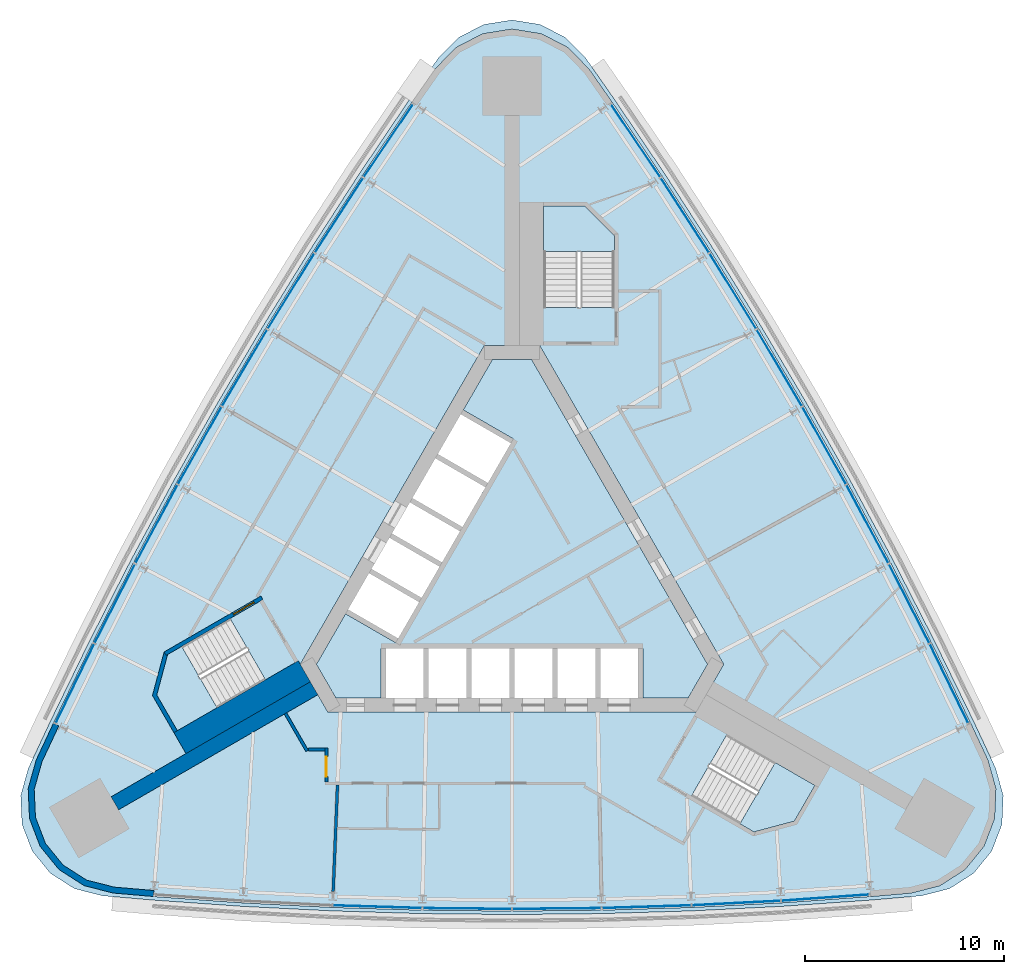
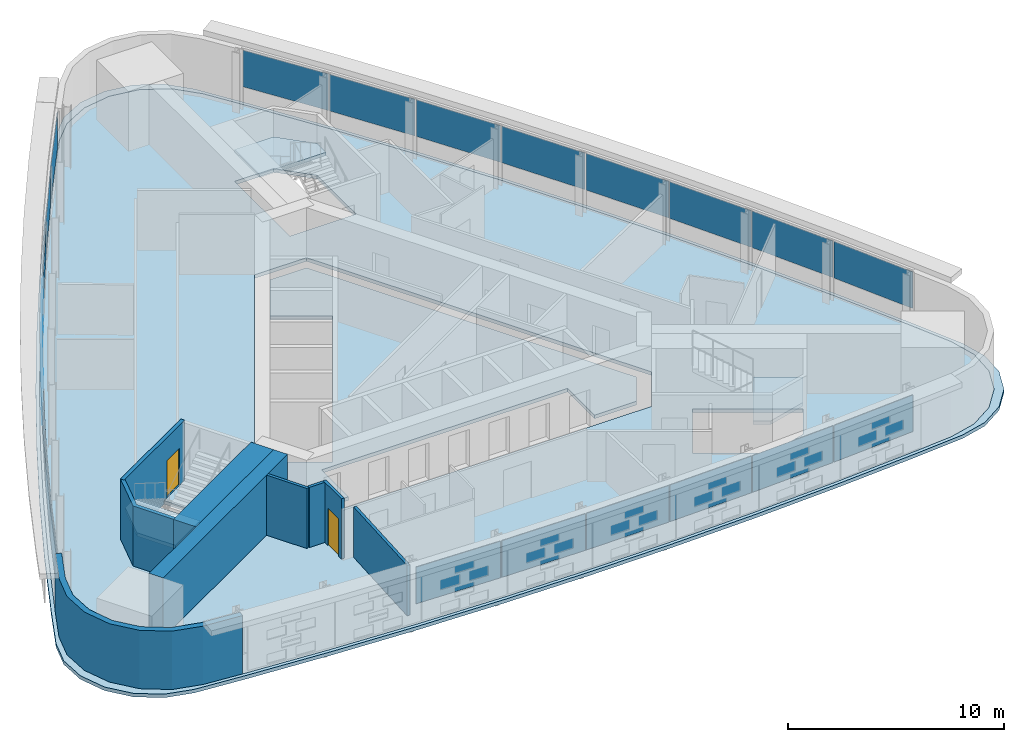
# One storey, part 6 of 11: 22 plates, 9 walls, 6 slabs, 2 doors, 2 openings, 6 elements without a shape of their own.
"""IFC4 building model written with IfcOpenShell, lengths in metres."""

from ifc_helpers import new_model, si_unit, direction, frame, frame_2d, origin, origin_2d, place, context, subcontext, project, spatial, polyline, rectangle, outline, extrude, material, layer, layer_set, type_object, element, fill, aggregate, save


model = new_model("IFC4")

# Units and contexts
model_context = context("Model", 3, precision=1e-05, world=origin(), true_north=direction((0.0, 1.0)))
body_context = subcontext(model_context, "Body", "Model", "MODEL_VIEW")
ifc_project = project(units=[si_unit("LENGTHUNIT", "METRE"), si_unit("AREAUNIT", "SQUARE_METRE"), si_unit("VOLUMEUNIT", "CUBIC_METRE"), si_unit("PLANEANGLEUNIT", "RADIAN"), si_unit("MASSUNIT", "GRAM", prefix="KILO")], contexts=[model_context])

# Site, building, storey
site_placement = place(None, origin())
site = spatial("IfcSite", under=ifc_project, at=site_placement, CompositionType="ELEMENT")
building_placement = place(site_placement, origin())
building = spatial("IfcBuilding", under=site, at=building_placement, Name="Noor Cloister Tower", CompositionType="ELEMENT")
storey_placement = place(building_placement, frame((0.0, 0.0, 116.699951171875)))
storey = spatial("IfcBuildingStorey", under=building, at=storey_placement, Name="L30", CompositionType="ELEMENT", Elevation=116.699951171875)

# Slabs
ifc_material_1 = material(Name="Concrete C40/50", Category="concrete")
ifc_layer_1 = layer(ifc_material_1, 0.199951171875)
ifc_layer_set_1 = layer_set([ifc_layer_1], Name="Core floor slab 200 C40/50")
slab_type_1 = type_object("IfcSlabType", Name="Core floor slab 200 C40/50", PredefinedType="FLOOR", material=ifc_layer_set_1)
slab_1_placement = place(storey_placement, frame((0.0, 0.0, -0.199951171875)))
element("IfcSlab", 1, at=slab_1_placement, inside=storey, type_object=slab_type_1, Name="Core floor L30", PredefinedType="FLOOR", context=body_context, shape_type="SweptSolid", body=[
    extrude(outline(polyline([(-6.574951171875, -6.228271484375), (-6.574951171875, -3.728271484375), (6.574951171875, -3.728271484375), (6.574951171875, -6.228271484375), (8.82470703125, -6.228271484375), (9.80615234375, -4.5283203125), (0.9814453125, 10.75634765625), (-0.9814453125, 10.75634765625), (-2.44384765625, 8.2236328125), (0.067626953125, 6.773681640625), (-5.832275390625, -3.4453125), (-8.34375, -1.995361328125), (-9.80615234375, -4.5283203125), (-8.82470703125, -6.228271484375), (-6.574951171875, -6.228271484375)])), origin(), (0.0, 0.0, 1.0), 0.199951171875),
])
ifc_material_2 = material(Name="Concrete C40/50", Category="concrete")
ifc_layer_2 = layer(ifc_material_2, 0.199951171875)
ifc_layer_set_2 = layer_set([ifc_layer_2], Name="Floor slab 200 C40/50")
slab_type_2 = type_object("IfcSlabType", Name="Floor slab 200 C40/50", PredefinedType="FLOOR", material=ifc_layer_set_2)
slab_2_placement = place(storey_placement, frame((0.0, 0.0, -0.199951171875)))
element("IfcSlab", 2, at=slab_2_placement, inside=storey, type_object=slab_type_2, Name="Floor slab L30", PredefinedType="FLOOR", context=body_context, shape_type="SweptSolid", body=[
    extrude(outline(polyline([(3.853271484375, 25.31689453125), (2.807373046875, 26.38818359375), (1.478271484375, 27.07763671875), (0.0, 27.3154296875), (-1.478271484375, 27.07763671875), (-2.807373046875, 26.38818359375), (-3.853271484375, 25.31689453125), (-5.0126953125, 23.65576171875), (-7.533447265625, 19.92822265625), (-9.978271484375, 16.150390625), (-12.345703125, 12.323486328125), (-14.635009765625, 8.449462890625), (-16.845458984375, 4.52978515625), (-18.9755859375, 0.566162109375), (-21.025146484375, -3.43994140625), (-22.992919921875, -7.48681640625), (-23.851806640625, -9.321533203125), (-24.256591796875, -10.762939453125), (-24.18896484375, -12.258544921875), (-23.65576171875, -13.65771484375), (-22.710693359375, -14.81884765625), (-21.44921875, -15.625244140625), (-19.99853515625, -15.995361328125), (-17.980224609375, -16.1689453125), (-13.49169921875, -16.48828125), (-8.99755859375, -16.716552734375), (-4.499755859375, -16.853515625), (0.0, -16.899169921875), (4.499755859375, -16.853515625), (8.99755859375, -16.716552734375), (13.49169921875, -16.48828125), (17.980224609375, -16.1689453125), (19.99853515625, -15.995361328125), (21.44921875, -15.625244140625), (22.710693359375, -14.81884765625), (23.65576171875, -13.65771484375), (24.18896484375, -12.258544921875), (24.256591796875, -10.762939453125), (23.851806640625, -9.321533203125), (22.992919921875, -7.48681640625), (21.025146484375, -3.43994140625), (18.9755859375, 0.566162109375), (16.845458984375, 4.52978515625), (14.635009765625, 8.449462890625), (12.345703125, 12.323486328125), (9.978271484375, 16.150390625), (7.533447265625, 19.92822265625), (5.0126953125, 23.65576171875), (3.853271484375, 25.31689453125)]), holes=[polyline([(8.999755859375, -11.126220703125), (12.131591796875, -12.934326171875), (14.1572265625, -12.3916015625), (15.19091796875, -10.601318359375), (10.774658203125, -8.0517578125), (8.999755859375, -11.126220703125)]), polyline([(-17.81005859375, -6.064697265625), (-16.776611328125, -7.85498046875), (-12.3603515625, -5.305419921875), (-14.13525390625, -2.23095703125), (-16.662841796875, -3.690185546875), (-17.267333984375, -4.039306640625), (-17.81005859375, -6.064697265625)]), polyline([(-10.6142578125, -4.5283203125), (-9.228759765625, -6.92822265625), (9.228759765625, -6.92822265625), (10.6142578125, -4.5283203125), (1.3857421875, 11.456298828125), (-1.3857421875, 11.456298828125), (-10.6142578125, -4.5283203125)]), polyline([(3.65283203125, 18.456298828125), (1.585693359375, 18.456298828125), (1.585693359375, 13.35693359375), (5.135498046875, 13.35693359375), (5.135498046875, 16.9736328125), (3.65283203125, 18.456298828125)])]), origin(), (0.0, 0.0, 1.0), 0.199951171875),
])

# Curtain wall, plates
ifc_material_3 = material(Name="Aluminium 6063-T6 anodised", Category="aluminium")
curtain_wall_type = type_object("IfcCurtainWallType", Name="Ribbon curtain wall, lower tower CW1", PredefinedType="NOTDEFINED", material=ifc_material_3)
curtain_wall_1_placement = place(storey_placement, origin())
curtain_wall_1 = element("IfcCurtainWall", 3, at=curtain_wall_1_placement, inside=storey, type_object=curtain_wall_type, Name="CW1 L30 NW run 1", PredefinedType="NOTDEFINED")
ifc_material_4 = material(Name="Clear laminated glass 2 x 8 mm", Category="glass")
ifc_layer_3 = layer(ifc_material_4, 0.028076171875)
ifc_layer_set_3 = layer_set([ifc_layer_3], Name="Glass panel CW1")
plate_type = type_object("IfcPlateType", Name="Glass panel CW1", PredefinedType="CURTAIN_PANEL", material=ifc_layer_set_3)
plate_1_placement = place(storey_placement, frame((-6.201171875, 21.719970703125, 1.08984375), z_axis=(0.0, 0.0, 1.0), x_axis=(-0.560202787374, -0.828355501592, 0.0)))
plate_1 = element("IfcPlate", 4, at=plate_1_placement, type_object=plate_type, Name="CW1 glass panel 1", PredefinedType="CURTAIN_PANEL", context=body_context, shape_type="SweptSolid", body=[
    extrude(rectangle(XDim=4.39892578125, YDim=0.028076171875, at=origin_2d()), origin(), (0.0, 0.0, 1.0), 2.070068359375),
])
plate_2_placement = place(storey_placement, frame((-8.671875, 17.985107421875, 1.08984375), z_axis=(0.0, 0.0, 1.0), x_axis=(-0.543277273915, -0.839553335797, 0.0)))
plate_2 = element("IfcPlate", 5, at=plate_2_placement, type_object=plate_type, Name="CW1 glass panel 2", PredefinedType="CURTAIN_PANEL", context=body_context, shape_type="SweptSolid", body=[
    extrude(rectangle(XDim=4.43798828125, YDim=0.028076171875, at=origin_2d()), origin(), (0.0, 0.0, 1.0), 2.070068359375),
])
plate_3_placement = place(storey_placement, frame((-11.076904296875, 14.184326171875, 1.08984375), z_axis=(0.0, 0.0, 1.0), x_axis=(-0.526127988992, -0.850405396972, 0.0)))
plate_3 = element("IfcPlate", 6, at=plate_3_placement, type_object=plate_type, Name="CW1 glass panel 3", PredefinedType="CURTAIN_PANEL", context=body_context, shape_type="SweptSolid", body=[
    extrude(rectangle(XDim=4.43798828125, YDim=0.028076171875, at=origin_2d()), origin(), (0.0, 0.0, 1.0), 2.070068359375),
])
plate_4_placement = place(storey_placement, frame((-13.404296875, 10.335693359375, 1.08984375), z_axis=(0.0, 0.0, 1.0), x_axis=(-0.508762010257, -0.860907205754, 0.0)))
plate_4 = element("IfcPlate", 7, at=plate_4_placement, type_object=plate_type, Name="CW1 glass panel 4", PredefinedType="CURTAIN_PANEL", context=body_context, shape_type="SweptSolid", body=[
    extrude(rectangle(XDim=4.43798828125, YDim=0.028076171875, at=origin_2d()), origin(), (0.0, 0.0, 1.0), 2.070068359375),
])
plate_5_placement = place(storey_placement, frame((-15.653076171875, 6.440673828125, 1.08984375), z_axis=(0.0, 0.0, 1.0), x_axis=(-0.491186505355, -0.87105442824, 0.0)))
plate_5 = element("IfcPlate", 8, at=plate_5_placement, type_object=plate_type, Name="CW1 glass panel 5", PredefinedType="CURTAIN_PANEL", context=body_context, shape_type="SweptSolid", body=[
    extrude(rectangle(XDim=4.43798828125, YDim=0.028076171875, at=origin_2d()), origin(), (0.0, 0.0, 1.0), 2.070068359375),
])
plate_6_placement = place(storey_placement, frame((-17.822509765625, 2.500732421875, 1.08984375), z_axis=(0.0, 0.0, 1.0), x_axis=(-0.473408682797, -0.880842902595, 0.0)))
plate_6 = element("IfcPlate", 9, at=plate_6_placement, type_object=plate_type, Name="CW1 glass panel 6", PredefinedType="CURTAIN_PANEL", context=body_context, shape_type="SweptSolid", body=[
    extrude(rectangle(XDim=4.43798828125, YDim=0.028076171875, at=origin_2d()), origin(), (0.0, 0.0, 1.0), 2.070068359375),
])
plate_7_placement = place(storey_placement, frame((-19.911376953125, -1.482421875, 1.08984375), z_axis=(0.0, 0.0, 1.0), x_axis=(-0.455435879675, -0.890268588407, 0.0)))
plate_7 = element("IfcPlate", 10, at=plate_7_placement, type_object=plate_type, Name="CW1 glass panel 7", PredefinedType="CURTAIN_PANEL", context=body_context, shape_type="SweptSolid", body=[
    extrude(rectangle(XDim=4.43798828125, YDim=0.028076171875, at=origin_2d()), origin(), (0.0, 0.0, 1.0), 2.070068359375),
])
plate_8_placement = place(storey_placement, frame((-21.91064453125, -5.489501953125, 1.08984375), z_axis=(0.0, 0.0, 1.0), x_axis=(-0.437275514056, -0.899327595933, 0.0)))
plate_8 = element("IfcPlate", 11, at=plate_8_placement, type_object=plate_type, Name="CW1 glass panel 8", PredefinedType="CURTAIN_PANEL", context=body_context, shape_type="SweptSolid", body=[
    extrude(rectangle(XDim=4.39892578125, YDim=0.028076171875, at=origin_2d()), origin(), (0.0, 0.0, 1.0), 2.070068359375),
])
aggregate(curtain_wall_1, [plate_1, plate_2, plate_3, plate_4, plate_5, plate_6, plate_7, plate_8])

curtain_wall_2_placement = place(storey_placement, origin())
curtain_wall_2 = element("IfcCurtainWall", 12, at=curtain_wall_2_placement, inside=storey, type_object=curtain_wall_type, Name="CW1 L30 S run 2", PredefinedType="NOTDEFINED")
plate_9_placement = place(storey_placement, frame((-6.74560546875, -16.68505859375, 1.08984375), z_axis=(0.0, 0.0, 1.0), x_axis=(0.999536671789, -0.030437505623, 0.0)))
plate_9 = element("IfcPlate", 13, at=plate_9_placement, type_object=plate_type, Name="CW1 glass panel 3", PredefinedType="CURTAIN_PANEL", context=body_context, shape_type="SweptSolid", body=[
    extrude(rectangle(XDim=4.43798828125, YDim=0.028076171875, at=origin_2d()), origin(), (0.0, 0.0, 1.0), 2.070068359375),
])
plate_10_placement = place(storey_placement, frame((-2.248779296875, -16.7763671875, 1.08984375), z_axis=(0.0, 0.0, 1.0), x_axis=(0.999948515613, -0.010147222486, 0.0)))
plate_10 = element("IfcPlate", 14, at=plate_10_placement, type_object=plate_type, Name="CW1 glass panel 4", PredefinedType="CURTAIN_PANEL", context=body_context, shape_type="SweptSolid", body=[
    extrude(rectangle(XDim=4.43798828125, YDim=0.028076171875, at=origin_2d()), origin(), (0.0, 0.0, 1.0), 2.070068359375),
])
plate_11_placement = place(storey_placement, frame((2.248779296875, -16.7763671875, 1.08984375), z_axis=(0.0, 0.0, 1.0), x_axis=(0.999948515613, 0.010147222486, 0.0)))
plate_11 = element("IfcPlate", 15, at=plate_11_placement, type_object=plate_type, Name="CW1 glass panel 5", PredefinedType="CURTAIN_PANEL", context=body_context, shape_type="SweptSolid", body=[
    extrude(rectangle(XDim=4.43798828125, YDim=0.028076171875, at=origin_2d()), origin(), (0.0, 0.0, 1.0), 2.070068359375),
])
plate_12_placement = place(storey_placement, frame((6.74560546875, -16.68505859375, 1.08984375), z_axis=(0.0, 0.0, 1.0), x_axis=(0.999536671789, 0.030437505623, 0.0)))
plate_12 = element("IfcPlate", 16, at=plate_12_placement, type_object=plate_type, Name="CW1 glass panel 6", PredefinedType="CURTAIN_PANEL", context=body_context, shape_type="SweptSolid", body=[
    extrude(rectangle(XDim=4.43798828125, YDim=0.028076171875, at=origin_2d()), origin(), (0.0, 0.0, 1.0), 2.070068359375),
])
plate_13_placement = place(storey_placement, frame((11.239501953125, -16.50244140625, 1.08984375), z_axis=(0.0, 0.0, 1.0), x_axis=(0.998713153589, 0.050715252611, 0.0)))
plate_13 = element("IfcPlate", 17, at=plate_13_placement, type_object=plate_type, Name="CW1 glass panel 7", PredefinedType="CURTAIN_PANEL", context=body_context, shape_type="SweptSolid", body=[
    extrude(rectangle(XDim=4.43798828125, YDim=0.028076171875, at=origin_2d()), origin(), (0.0, 0.0, 1.0), 2.070068359375),
])
plate_14_placement = place(storey_placement, frame((15.70947265625, -16.230224609375, 1.08984375), z_axis=(0.0, 0.0, 1.0), x_axis=(0.997478301431, 0.070972094341, 0.0)))
plate_14 = element("IfcPlate", 18, at=plate_14_placement, type_object=plate_type, Name="CW1 glass panel 8", PredefinedType="CURTAIN_PANEL", context=body_context, shape_type="SweptSolid", body=[
    extrude(rectangle(XDim=4.39892578125, YDim=0.028076171875, at=origin_2d()), origin(), (0.0, 0.0, 1.0), 2.070068359375),
])
aggregate(curtain_wall_2, [plate_9, plate_10, plate_11, plate_12, plate_13, plate_14])

curtain_wall_3_placement = place(storey_placement, origin())
curtain_wall_3 = element("IfcCurtainWall", 19, at=curtain_wall_3_placement, inside=storey, type_object=curtain_wall_type, Name="CW1 L30 NE run 3", PredefinedType="NOTDEFINED")
plate_15_placement = place(storey_placement, frame((21.91064453125, -5.489501953125, 1.08984375), z_axis=(0.0, 0.0, 1.0), x_axis=(-0.437275514056, 0.899327595933, 0.0)))
plate_15 = element("IfcPlate", 20, at=plate_15_placement, type_object=plate_type, Name="CW1 glass panel 1", PredefinedType="CURTAIN_PANEL", context=body_context, shape_type="SweptSolid", body=[
    extrude(rectangle(XDim=4.39892578125, YDim=0.028076171875, at=origin_2d()), origin(), (0.0, 0.0, 1.0), 2.070068359375),
])
plate_16_placement = place(storey_placement, frame((19.911376953125, -1.482421875, 1.08984375), z_axis=(0.0, 0.0, 1.0), x_axis=(-0.455435879675, 0.890268588407, 0.0)))
plate_16 = element("IfcPlate", 21, at=plate_16_placement, type_object=plate_type, Name="CW1 glass panel 2", PredefinedType="CURTAIN_PANEL", context=body_context, shape_type="SweptSolid", body=[
    extrude(rectangle(XDim=4.43798828125, YDim=0.028076171875, at=origin_2d()), origin(), (0.0, 0.0, 1.0), 2.070068359375),
])
plate_17_placement = place(storey_placement, frame((17.822509765625, 2.500732421875, 1.08984375), z_axis=(0.0, 0.0, 1.0), x_axis=(-0.473408682797, 0.880842902595, 0.0)))
plate_17 = element("IfcPlate", 22, at=plate_17_placement, type_object=plate_type, Name="CW1 glass panel 3", PredefinedType="CURTAIN_PANEL", context=body_context, shape_type="SweptSolid", body=[
    extrude(rectangle(XDim=4.43798828125, YDim=0.028076171875, at=origin_2d()), origin(), (0.0, 0.0, 1.0), 2.070068359375),
])
plate_18_placement = place(storey_placement, frame((15.653076171875, 6.440673828125, 1.08984375), z_axis=(0.0, 0.0, 1.0), x_axis=(-0.491186505355, 0.87105442824, 0.0)))
plate_18 = element("IfcPlate", 23, at=plate_18_placement, type_object=plate_type, Name="CW1 glass panel 4", PredefinedType="CURTAIN_PANEL", context=body_context, shape_type="SweptSolid", body=[
    extrude(rectangle(XDim=4.43798828125, YDim=0.028076171875, at=origin_2d()), origin(), (0.0, 0.0, 1.0), 2.070068359375),
])
plate_19_placement = place(storey_placement, frame((13.404296875, 10.335693359375, 1.08984375), z_axis=(0.0, 0.0, 1.0), x_axis=(-0.508762010257, 0.860907205754, 0.0)))
plate_19 = element("IfcPlate", 24, at=plate_19_placement, type_object=plate_type, Name="CW1 glass panel 5", PredefinedType="CURTAIN_PANEL", context=body_context, shape_type="SweptSolid", body=[
    extrude(rectangle(XDim=4.43798828125, YDim=0.028076171875, at=origin_2d()), origin(), (0.0, 0.0, 1.0), 2.070068359375),
])
plate_20_placement = place(storey_placement, frame((11.076904296875, 14.184326171875, 1.08984375), z_axis=(0.0, 0.0, 1.0), x_axis=(-0.526127988992, 0.850405396972, 0.0)))
plate_20 = element("IfcPlate", 25, at=plate_20_placement, type_object=plate_type, Name="CW1 glass panel 6", PredefinedType="CURTAIN_PANEL", context=body_context, shape_type="SweptSolid", body=[
    extrude(rectangle(XDim=4.43798828125, YDim=0.028076171875, at=origin_2d()), origin(), (0.0, 0.0, 1.0), 2.070068359375),
])
plate_21_placement = place(storey_placement, frame((8.671875, 17.985107421875, 1.08984375), z_axis=(0.0, 0.0, 1.0), x_axis=(-0.543277273915, 0.839553335797, 0.0)))
plate_21 = element("IfcPlate", 26, at=plate_21_placement, type_object=plate_type, Name="CW1 glass panel 7", PredefinedType="CURTAIN_PANEL", context=body_context, shape_type="SweptSolid", body=[
    extrude(rectangle(XDim=4.43798828125, YDim=0.028076171875, at=origin_2d()), origin(), (0.0, 0.0, 1.0), 2.070068359375),
])
plate_22_placement = place(storey_placement, frame((6.201171875, 21.719970703125, 1.08984375), z_axis=(0.0, 0.0, 1.0), x_axis=(-0.560202787374, 0.828355501592, 0.0)))
plate_22 = element("IfcPlate", 27, at=plate_22_placement, type_object=plate_type, Name="CW1 glass panel 8", PredefinedType="CURTAIN_PANEL", context=body_context, shape_type="SweptSolid", body=[
    extrude(rectangle(XDim=4.39892578125, YDim=0.028076171875, at=origin_2d()), origin(), (0.0, 0.0, 1.0), 2.070068359375),
])
aggregate(curtain_wall_3, [plate_15, plate_16, plate_17, plate_18, plate_19, plate_20, plate_21, plate_22])

# Slab
ifc_material_5 = material(Name="Concrete C40/50", Category="concrete")
ifc_layer_4 = layer(ifc_material_5, 0.199951171875)
ifc_layer_set_4 = layer_set([ifc_layer_4], Name="Ledge roof 200 C40/50")
slab_type_3 = type_object("IfcSlabType", Name="Ledge roof 200 C40/50", PredefinedType="ROOF", material=ifc_layer_set_4)
slab_3_placement = place(storey_placement, frame((0.0, 0.0, -0.199951171875)))
element("IfcSlab", 28, at=slab_3_placement, inside=storey, type_object=slab_type_3, Name="Ledge roof L30", PredefinedType="ROOF", context=body_context, shape_type="SweptSolid", body=[
    extrude(outline(polyline([(5.1708984375, 23.747802734375), (3.694091796875, 25.862548828125), (2.6904296875, 26.8876953125), (1.41650390625, 27.54736328125), (0.0, 27.774658203125), (-1.41650390625, 27.54736328125), (-2.6904296875, 26.8876953125), (-3.694091796875, 25.862548828125), (-5.1708984375, 23.747802734375), (-7.68896484375, 20.018310546875), (-10.131591796875, 16.239013671875), (-12.498046875, 12.41162109375), (-14.786865234375, 8.537353515625), (-16.99755859375, 4.617919921875), (-19.129150390625, 0.65478515625), (-21.180908203125, -3.350341796875), (-23.151611328125, -7.395751953125), (-24.24462890625, -9.732177734375), (-24.630615234375, -11.11376953125), (-24.56494140625, -12.546875), (-24.0537109375, -13.887451171875), (-23.1484375, -15.000244140625), (-21.940185546875, -15.77392578125), (-20.550537109375, -16.13037109375), (-17.980712890625, -16.35205078125), (-13.491943359375, -16.66796875), (-8.99755859375, -16.893798828125), (-4.499755859375, -17.029296875), (0.0, -17.074462890625), (4.499755859375, -17.029296875), (8.99755859375, -16.893798828125), (13.491943359375, -16.66796875), (17.980712890625, -16.35205078125), (20.550537109375, -16.13037109375), (21.940185546875, -15.77392578125), (23.1484375, -15.000244140625), (24.0537109375, -13.887451171875), (24.56494140625, -12.546875), (24.630615234375, -11.11376953125), (24.24462890625, -9.732177734375), (23.151611328125, -7.395751953125), (21.180908203125, -3.350341796875), (19.129150390625, 0.65478515625), (16.99755859375, 4.617919921875), (14.786865234375, 8.537353515625), (12.498046875, 12.41162109375), (10.131591796875, 16.239013671875), (7.68896484375, 20.018310546875), (5.1708984375, 23.747802734375)]), holes=[polyline([(1.478271484375, 27.07763671875), (0.0, 27.3154296875), (-1.478271484375, 27.07763671875), (-2.807373046875, 26.38818359375), (-3.853271484375, 25.31689453125), (-5.0126953125, 23.65576171875), (-7.533447265625, 19.92822265625), (-9.978271484375, 16.150390625), (-12.345703125, 12.323486328125), (-14.635009765625, 8.449462890625), (-16.845458984375, 4.52978515625), (-18.9755859375, 0.566162109375), (-21.025146484375, -3.43994140625), (-22.992919921875, -7.48681640625), (-23.851806640625, -9.321533203125), (-24.256591796875, -10.762939453125), (-24.18896484375, -12.258544921875), (-23.65576171875, -13.65771484375), (-22.710693359375, -14.81884765625), (-21.44921875, -15.625244140625), (-19.99853515625, -15.995361328125), (-17.980224609375, -16.1689453125), (-13.49169921875, -16.48828125), (-8.99755859375, -16.716552734375), (-4.499755859375, -16.853515625), (0.0, -16.899169921875), (4.499755859375, -16.853515625), (8.99755859375, -16.716552734375), (13.49169921875, -16.48828125), (17.980224609375, -16.1689453125), (19.99853515625, -15.995361328125), (21.44921875, -15.625244140625), (22.710693359375, -14.81884765625), (23.65576171875, -13.65771484375), (24.18896484375, -12.258544921875), (24.256591796875, -10.762939453125), (23.851806640625, -9.321533203125), (22.992919921875, -7.48681640625), (21.025146484375, -3.43994140625), (18.9755859375, 0.566162109375), (16.845458984375, 4.52978515625), (14.635009765625, 8.449462890625), (12.345703125, 12.323486328125), (9.978271484375, 16.150390625), (7.533447265625, 19.92822265625), (5.0126953125, 23.65576171875), (3.853271484375, 25.31689453125), (2.807373046875, 26.38818359375), (1.478271484375, 27.07763671875)])]), origin(), (0.0, 0.0, 1.0), 0.199951171875),
])

# Stair, slab
ifc_material_6 = material(Name="Concrete C40/50", Category="concrete")
stair_type = type_object("IfcStairType", Name="Exit stair 22 risers", PredefinedType="HALF_TURN_STAIR", material=ifc_material_6)
stair_1_placement = place(storey_placement, origin())
stair_1 = element("IfcStair", 29, at=stair_1_placement, inside=storey, type_object=stair_type, Name="Exit stair ST1 L30", PredefinedType="HALF_TURN_STAIR")
ifc_material_7 = material(Name="Concrete C40/50", Category="concrete")
ifc_layer_5 = layer(ifc_material_7, 0.199951171875)
ifc_layer_set_5 = layer_set([ifc_layer_5], Name="Stair landing 200 C40/50")
slab_type_4 = type_object("IfcSlabType", Name="Stair landing 200 C40/50", PredefinedType="LANDING", material=ifc_layer_set_5)
slab_4_placement = place(storey_placement, frame((0.0, 0.0, 1.60009765625)))
slab_4 = element("IfcSlab", 30, at=slab_4_placement, type_object=slab_type_4, Name="ST1 landing 1", PredefinedType="LANDING", context=body_context, shape_type="SweptSolid", body=[
    extrude(outline(polyline([(5.135498046875, 16.15576171875), (5.135498046875, 16.9736328125), (3.65283203125, 18.456298828125), (1.585693359375, 18.456298828125), (1.585693359375, 16.15576171875), (5.135498046875, 16.15576171875)])), origin(), (0.0, 0.0, 1.0), 0.199951171875),
])
aggregate(stair_1, [slab_4])

stair_2_placement = place(storey_placement, origin())
stair_2 = element("IfcStair", 31, at=stair_2_placement, inside=storey, type_object=stair_type, Name="Exit stair ST2 L30", PredefinedType="HALF_TURN_STAIR")
slab_5_placement = place(storey_placement, frame((0.0, 0.0, 1.60009765625)))
slab_5 = element("IfcSlab", 32, at=slab_5_placement, type_object=slab_type_4, Name="ST2 landing 1", PredefinedType="LANDING", context=body_context, shape_type="SweptSolid", body=[
    extrude(outline(polyline([(-16.55908203125, -3.63037109375), (-17.267333984375, -4.039306640625), (-17.81005859375, -6.064697265625), (-16.776611328125, -7.85498046875), (-14.7841796875, -6.70458984375), (-16.55908203125, -3.63037109375)])), origin(), (0.0, 0.0, 1.0), 0.199951171875),
])
aggregate(stair_2, [slab_5])

stair_3_placement = place(storey_placement, origin())
stair_3 = element("IfcStair", 33, at=stair_3_placement, inside=storey, type_object=stair_type, Name="Exit stair ST3 L30", PredefinedType="HALF_TURN_STAIR")
slab_6_placement = place(storey_placement, frame((0.0, 0.0, 1.60009765625)))
slab_6 = element("IfcSlab", 34, at=slab_6_placement, type_object=slab_type_4, Name="ST3 landing 1", PredefinedType="LANDING", context=body_context, shape_type="SweptSolid", body=[
    extrude(outline(polyline([(11.423583984375, -12.525390625), (12.131591796875, -12.934326171875), (14.1572265625, -12.3916015625), (15.19091796875, -10.601318359375), (13.198486328125, -9.451171875), (11.423583984375, -12.525390625)])), origin(), (0.0, 0.0, 1.0), 0.199951171875),
])
aggregate(stair_3, [slab_6])

# Walls
ifc_material_8 = material(Name="Concrete C80/95", Category="concrete")
ifc_layer_6 = layer(ifc_material_8, 0.75)
ifc_layer_set_6 = layer_set([ifc_layer_6], Name="Buttress wall 750 C80/95")
wall_type_1 = type_object("IfcWallType", Name="Buttress wall 750 C80/95", PredefinedType="SHEAR", material=ifc_layer_set_6)
wall_1_placement = place(storey_placement, frame((-9.921630859375, -5.728271484375, -0.199951171875), z_axis=(0.0, 0.0, 1.0), x_axis=(-0.866024913782, -0.500000848707, 0.0)))
element("IfcWall", 35, at=wall_1_placement, inside=storey, type_object=wall_type_1, Name="Buttress wall SW L30", PredefinedType="SHEAR", context=body_context, shape_type="SweptSolid", body=[
    extrude(rectangle(XDim=11.53857421875, YDim=0.75, at=frame_2d((5.769287109375, 0.0))), origin(), (0.0, 0.0, 1.0), 3.60009765625),
])
ifc_material_9 = material(Name="Gypsum board partition on steel studs, 150 mm", Category="steel")
ifc_layer_7 = layer(ifc_material_9, 0.14990234375)
ifc_layer_set_7 = layer_set([ifc_layer_7], Name="Flat wall 150")
wall_type_2 = type_object("IfcWallType", Name="Flat wall 150", PredefinedType="PARTITIONING", material=ifc_layer_set_7)
wall_2_placement = place(storey_placement, frame((-11.35791015625, -6.990478515625, 0.0), z_axis=(0.0, 0.0, 1.0), x_axis=(0.500050590816, -0.865996193193, 0.0)))
element("IfcWall", 36, at=wall_2_placement, inside=storey, type_object=wall_type_2, Name="Flat wall 150 L30 009", PredefinedType="PARTITIONING", context=body_context, shape_type="SweptSolid", body=[
    extrude(rectangle(XDim=2.168212890625, YDim=0.14990234375, at=frame_2d((1.083984375, 0.0))), origin(), (0.0, 0.0, 1.0), 3.400146484375),
])

# Wall, opening, door
wall_3_placement = place(storey_placement, frame((-9.3037109375, -10.42822265625, 0.0), z_axis=(0.0, 0.0, 1.0), x_axis=(0.0, 1.0, 0.0)))
wall_3 = element("IfcWall", 37, at=wall_3_placement, inside=storey, type_object=wall_type_2, Name="Flat wall 150 L30 014", PredefinedType="PARTITIONING", context=body_context, shape_type="SweptSolid", body=[
    extrude(rectangle(XDim=1.699951171875, YDim=0.14990234375, at=frame_2d((0.85009765625, 0.0))), origin(), (0.0, 0.0, 1.0), 3.400146484375),
])
opening_1_placement = place(wall_3_placement, frame((0.27490234375, 0.0, 0.0)))
opening_1 = element("IfcOpeningElement", 38, at=opening_1_placement, cuts=wall_3, Name="Opening L30-011", PredefinedType="OPENING", context=body_context, shape_type="SweptSolid", body=[
    extrude(rectangle(XDim=1.0, YDim=2.10009765625, at=frame_2d((0.5, 1.050048828125))), frame((0.0, 0.0849609375, 0.0), z_axis=(0.0, -1.0, 0.0), x_axis=(1.0, 0.0, 0.0)), (0.0, 0.0, 1.0), 0.169921875),
])
ifc_material_10 = material(Name="Timber door leaf with steel frame", Category="steel")
door_type_1 = type_object("IfcDoorType", Name="Interior door 1000 FD60", OperationType="NOTDEFINED", PredefinedType="DOOR", material=ifc_material_10)
door_1_placement = place(opening_1_placement, origin())
door_1 = element("IfcDoor", 39, at=door_1_placement, inside=storey, type_object=door_type_1, Name="Interior door 1000 L30-011", OperationType="SINGLE_SWING_LEFT", OverallHeight=2.10009765625, OverallWidth=1.0, PredefinedType="DOOR", context=body_context, shape_type="SweptSolid", body=[
    extrude(rectangle(XDim=1.0, YDim=2.10009765625, at=frame_2d((0.5, 1.050048828125))), frame((0.0, 0.02490234375, 0.0), z_axis=(0.0, -1.0, 0.0), x_axis=(1.0, 0.0, 0.0)), (0.0, 0.0, 1.0), 0.050048828125),
])
fill(opening_1, door_1)

# Walls
wall_4_placement = place(storey_placement, frame((-10.208740234375, -8.80322265625, 0.0), z_axis=(0.0, 0.0, 1.0), x_axis=(1.0, 0.0, 0.0)))
element("IfcWall", 40, at=wall_4_placement, inside=storey, type_object=wall_type_2, Name="Flat wall 150 L30 015", PredefinedType="PARTITIONING", context=body_context, shape_type="SweptSolid", body=[
    extrude(rectangle(XDim=0.830078125, YDim=0.14990234375, at=frame_2d((0.4150390625, 0.0))), origin(), (0.0, 0.0, 1.0), 3.400146484375),
])
wall_5_placement = place(storey_placement, frame((-8.965087890625, -15.9169921875, 0.0), z_axis=(0.0, 0.0, 1.0), x_axis=(0.040597936434, 0.999175563931, 0.0)))
element("IfcWall", 41, at=wall_5_placement, inside=storey, type_object=wall_type_2, Name="Flat wall 150 L30 017", PredefinedType="PARTITIONING", context=body_context, shape_type="SweptSolid", body=[
    extrude(rectangle(XDim=5.340087890625, YDim=0.14990234375, at=frame_2d((2.669921875, 0.0))), origin(), (0.0, 0.0, 1.0), 2.84716796875),
])
ifc_material_11 = material(Name="Limestone", Category="masonry")
ifc_layer_8 = layer(ifc_material_11, 0.300048828125)
ifc_layer_set_8 = layer_set([ifc_layer_8], Name="Limestone cladding 300")
wall_type_3 = type_object("IfcWallType", Name="Limestone cladding 300", PredefinedType="NOTDEFINED", material=ifc_layer_set_8)
wall_6_placement = place(storey_placement, origin())
element("IfcWall", 42, at=wall_6_placement, inside=storey, type_object=wall_type_3, Name="Limestone pier cladding L30 1.1", PredefinedType="NOTDEFINED", context=body_context, shape_type="SweptSolid", body=[
    extrude(outline(polyline([(-22.992919921875, -7.48681640625), (-23.851806640625, -9.321533203125), (-24.256591796875, -10.762939453125), (-24.18896484375, -12.258544921875), (-23.65576171875, -13.65771484375), (-22.710693359375, -14.81884765625), (-21.44921875, -15.625244140625), (-19.99853515625, -15.995361328125), (-17.980224609375, -16.1689453125), (-17.95458984375, -15.8701171875), (-19.9482421875, -15.69873046875), (-21.328369140625, -15.3466796875), (-22.508544921875, -14.59228515625), (-23.392578125, -13.505859375), (-23.891357421875, -12.19677734375), (-23.95458984375, -10.797607421875), (-23.569580078125, -9.42626953125), (-22.72119140625, -7.614013671875), (-22.992919921875, -7.48681640625)])), origin(), (0.0, 0.0, 1.0), 3.300048828125),
])
ifc_material_12 = material(Name="Concrete C80/95", Category="concrete")
ifc_layer_9 = layer(ifc_material_12, 1.2109375)
ifc_layer_set_9 = layer_set([ifc_layer_9], Name="Stair enclosure wall 1211 C80/95")
wall_type_4 = type_object("IfcWallType", Name="Stair enclosure wall 1211 C80/95", PredefinedType="SHEAR", material=ifc_layer_set_9)
wall_7_placement = place(storey_placement, frame((-10.41162109375, -4.879150390625, -0.199951171875), z_axis=(0.0, 0.0, 1.0), x_axis=(-0.866026919366, -0.499997374926, 0.0)))
element("IfcWall", 43, at=wall_7_placement, inside=storey, type_object=wall_type_4, Name="Stair enclosure wall ST2 L30 riser side", PredefinedType="SHEAR", context=body_context, shape_type="SweptSolid", body=[
    extrude(rectangle(XDim=7.2001953125, YDim=1.210693359375, at=frame_2d((3.60009765625, 0.0))), origin(), (0.0, 0.0, 1.0), 3.60009765625),
])

# Wall, opening, door
ifc_material_13 = material(Name="Concrete C80/95", Category="concrete")
ifc_layer_10 = layer(ifc_material_13, 0.199951171875)
ifc_layer_set_10 = layer_set([ifc_layer_10], Name="Stair enclosure wall 200 C80/95")
wall_type_5 = type_object("IfcWallType", Name="Stair enclosure wall 200 C80/95", PredefinedType="SHEAR", material=ifc_layer_set_10)
wall_8_placement = place(storey_placement, frame((-12.539306640625, -1.194091796875, -0.199951171875), z_axis=(0.0, 0.0, 1.0), x_axis=(-0.866045472092, -0.499965239061, 0.0)))
wall_8 = element("IfcWall", 44, at=wall_8_placement, inside=storey, type_object=wall_type_5, Name="Stair enclosure wall ST2 L30 outer side", PredefinedType="SHEAR", context=body_context, shape_type="SweptSolid", body=[
    extrude(rectangle(XDim=5.60009765625, YDim=0.199951171875, at=frame_2d((2.800048828125, 0.0))), origin(), (0.0, 0.0, 1.0), 3.60009765625),
])
opening_2_placement = place(wall_8_placement, frame((0.449951171875, 0.0, 0.199951171875)))
opening_2 = element("IfcOpeningElement", 45, at=opening_2_placement, cuts=wall_8, Name="Opening L30-ST2C", PredefinedType="OPENING", context=body_context, shape_type="SweptSolid", body=[
    extrude(rectangle(XDim=1.199951171875, YDim=2.10009765625, at=frame_2d((0.60009765625, 1.050048828125))), frame((0.0, 0.10986328125, 0.0), z_axis=(0.0, -1.0, 0.0), x_axis=(1.0, 0.0, 0.0)), (0.0, 0.0, 1.0), 0.219970703125),
])
ifc_material_14 = material(Name="Steel", Category="steel")
door_type_2 = type_object("IfcDoorType", Name="Stair door 1200 x 2100 FD120", OperationType="SINGLE_SWING_LEFT", PredefinedType="DOOR", material=ifc_material_14)
door_2_placement = place(opening_2_placement, origin())
door_2 = element("IfcDoor", 46, at=door_2_placement, inside=storey, type_object=door_type_2, Name="Stair door ST2 L30", OperationType="SINGLE_SWING_LEFT", OverallHeight=2.10009765625, OverallWidth=1.199951171875, PredefinedType="DOOR", context=body_context, shape_type="SweptSolid", body=[
    extrude(rectangle(XDim=1.199951171875, YDim=2.10009765625, at=frame_2d((0.60009765625, 1.050048828125))), frame((0.0, 0.02490234375, 0.0), z_axis=(0.0, -1.0, 0.0), x_axis=(1.0, 0.0, 0.0)), (0.0, 0.0, 1.0), 0.050048828125),
])
fill(opening_2, door_2)

# Wall
ifc_material_15 = material(Name="Concrete C80/95", Category="concrete")
wall_type_6 = type_object("IfcWallType", Name="Stair far end wall C80/95", PredefinedType="SHEAR", material=ifc_material_15)
wall_9_placement = place(storey_placement, frame((0.0, 0.0, -0.199951171875)))
element("IfcWall", 47, at=wall_9_placement, inside=storey, type_object=wall_type_6, Name="Stair enclosure wall ST2 L30 far end", PredefinedType="SHEAR", context=body_context, shape_type="SweptSolid", body=[
    extrude(outline(polyline([(-17.439208984375, -3.907470703125), (-18.024658203125, -6.093017578125), (-16.94970703125, -7.955078125), (-16.776611328125, -7.85498046875), (-17.81005859375, -6.064697265625), (-17.267333984375, -4.039306640625), (-17.339111328125, -4.08056640625), (-17.339111328125, -4.08056640625), (-17.339111328125, -4.08056640625), (-17.339111328125, -4.08056640625), (-17.339111328125, -4.08056640625), (-17.339111328125, -4.08056640625), (-17.339111328125, -4.08056640625), (-17.339111328125, -4.08056640625), (-17.339111328125, -4.08056640625), (-17.339111328125, -4.08056640625), (-17.339111328125, -4.08056640625), (-17.339111328125, -4.08056640625), (-17.339111328125, -4.08056640625), (-17.339111328125, -4.08056640625), (-17.339111328125, -4.08056640625), (-17.339111328125, -4.08056640625), (-17.339111328125, -4.08056640625), (-17.439208984375, -3.907470703125)])), origin(), (0.0, 0.0, 1.0), 3.60009765625),
])

save(model, "model.ifc")
